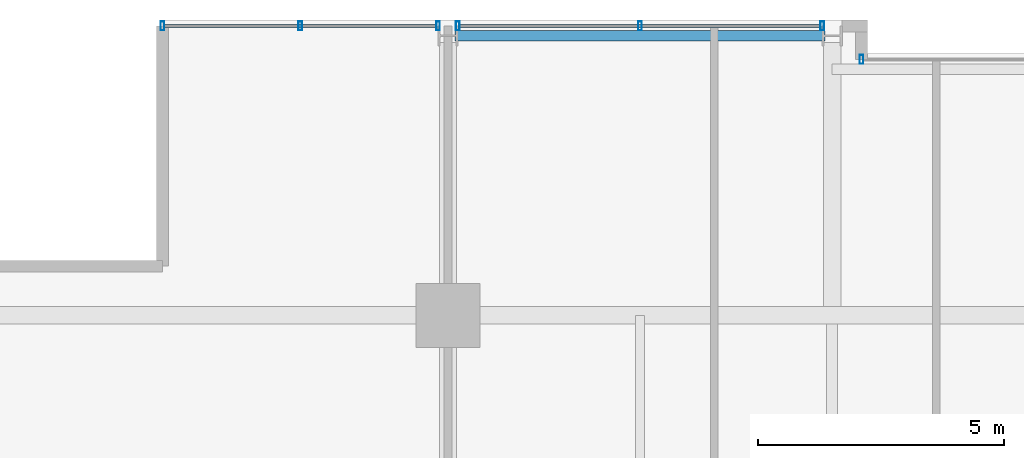
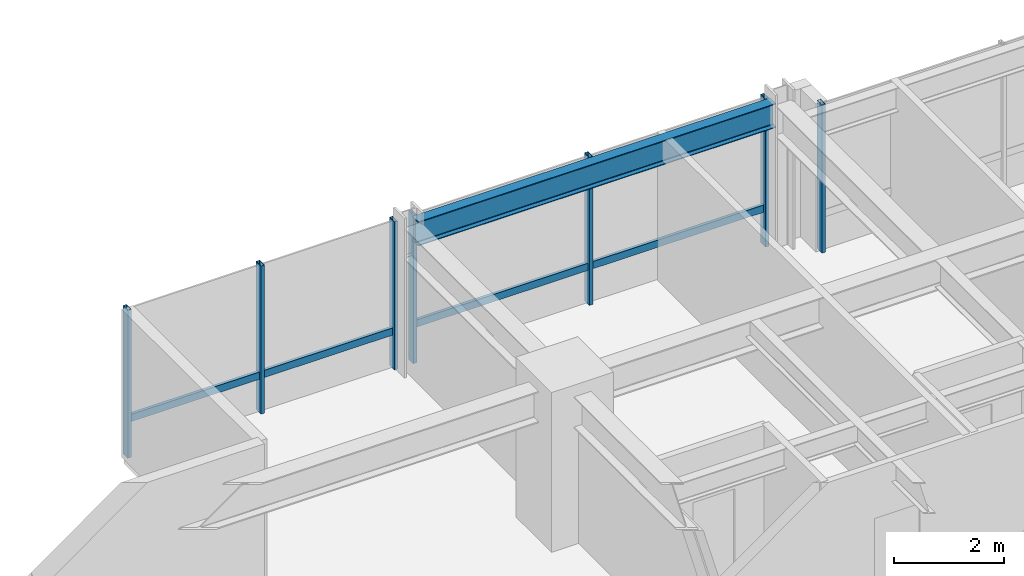
# One storey, part 20 of 33: 9 members, 1 beam, 3 elements without a shape of their own.
"""IFC4 building model written with IfcOpenShell, lengths in metres."""

from ifc_helpers import new_model, si_unit, direction, frame, origin, origin_2d, place, context, subcontext, project, spatial, hollow_rectangle, i_section, extrude, material, layer, layer_set, material_profile, profile_set, type_object, element, aggregate, save


model = new_model("IFC4")

# Units and contexts
model_context = context("Model", 3, precision=1e-05, world=origin(), true_north=direction((0.0, 1.0)))
body_context = subcontext(model_context, "Body", "Model", "MODEL_VIEW")
ifc_project = project(units=[si_unit("LENGTHUNIT", "METRE"), si_unit("AREAUNIT", "SQUARE_METRE"), si_unit("VOLUMEUNIT", "CUBIC_METRE"), si_unit("PLANEANGLEUNIT", "RADIAN"), si_unit("MASSUNIT", "GRAM", prefix="KILO")], contexts=[model_context])

# Site, building, storey
site_placement = place(None, origin())
site = spatial("IfcSite", under=ifc_project, at=site_placement, CompositionType="ELEMENT")
building_placement = place(site_placement, origin())
building = spatial("IfcBuilding", under=site, at=building_placement, Name="Drelvath Grand Hotel", CompositionType="ELEMENT")
storey_placement = place(building_placement, frame((0.0, 0.0, 153.949951171875)))
storey = spatial("IfcBuildingStorey", under=building, at=storey_placement, Name="L39", CompositionType="ELEMENT", Elevation=153.949951171875)

# Curtain wall, member
ifc_material_1 = material(Name="Brushed Pale-Silver Anodised Aluminium Frame", Category="aluminium")
ifc_layer = layer(ifc_material_1, 0.199951171875)
ifc_layer_set = layer_set([ifc_layer], Name="Brushed Pale-Silver Anodised Aluminium Frame")
curtain_wall_type = type_object("IfcCurtainWallType", Name="Stick Curtain Wall CW-04 Brushed Silver Upper-Mid", PredefinedType="NOTDEFINED", material=ifc_layer_set)
curtain_wall_1_placement = place(storey_placement, origin())
curtain_wall_1 = element("IfcCurtainWall", 1, at=curtain_wall_1_placement, inside=storey, type_object=curtain_wall_type, Name="L39 CW-04 Curtain Wall CW04-L39-NW1", PredefinedType="NOTDEFINED")
ifc_material_profile_1 = material_profile(ifc_material_1, hollow_rectangle(XDim=0.06494140625, YDim=0.159912109375, WallThickness=0.00390625, at=origin_2d()), Name="HSS160X65X4")
ifc_profile_set_1 = profile_set([ifc_material_profile_1], Name="Brushed Pale-Silver Anodised Aluminium Frame")
member_type_1 = type_object("IfcMemberType", Name="Curtain Wall Horizontal Transom CW-04 HSS160X65X4", PredefinedType="USERDEFINED", material=ifc_profile_set_1)
member_1_placement = place(storey_placement, frame((-21.9599609375, 49.080078125, 0.822509765625), z_axis=(1.0, 0.0, 0.0), x_axis=(0.0, 1.0, 0.0)))
member_1 = element("IfcMember", 2, at=member_1_placement, type_object=member_type_1, Name="CW04-L39-NW1 Sill Transom", ObjectType="TRANSOM", PredefinedType="USERDEFINED", context=body_context, shape_type="SweptSolid", body=[
    extrude(hollow_rectangle(XDim=0.06494140625, YDim=0.159912109375, WallThickness=0.00390625, at=origin_2d()), origin(), (0.0, 0.0, 1.0), 5.519775390625),
])

curtain_wall_2_placement = place(storey_placement, origin())
curtain_wall_2 = element("IfcCurtainWall", 3, at=curtain_wall_2_placement, inside=storey, type_object=curtain_wall_type, Name="L39 CW-04 Curtain Wall CW04-L39-NW2", PredefinedType="NOTDEFINED")
member_2_placement = place(storey_placement, frame((-15.9599609375, 49.080078125, 0.822509765625), z_axis=(1.0, 0.0, 0.0), x_axis=(0.0, 1.0, 0.0)))
member_2 = element("IfcMember", 4, at=member_2_placement, type_object=member_type_1, Name="CW04-L39-NW2 Sill Transom", ObjectType="TRANSOM", PredefinedType="USERDEFINED", context=body_context, shape_type="SweptSolid", body=[
    extrude(hollow_rectangle(XDim=0.06494140625, YDim=0.159912109375, WallThickness=0.00390625, at=origin_2d()), origin(), (0.0, 0.0, 1.0), 7.31982421875),
])

# Member
ifc_material_profile_2 = material_profile(ifc_material_1, hollow_rectangle(XDim=0.074951171875, YDim=0.179931640625, WallThickness=0.0048828125, at=origin_2d()), Name="HSS180X75X5")
ifc_profile_set_2 = profile_set([ifc_material_profile_2], Name="Brushed Pale-Silver Anodised Aluminium Frame")
member_type_2 = type_object("IfcMemberType", Name="Curtain Wall Vertical Mullion CW-04 HSS180X75X5", PredefinedType="MULLION", material=ifc_profile_set_2)
member_3_placement = place(storey_placement, frame((-22.0, 49.080078125, 0.0), z_axis=(0.0, 0.0, 1.0), x_axis=(1.0, 0.0, 0.0)))
member_3 = element("IfcMember", 5, at=member_3_placement, type_object=member_type_2, Name="CW04-L39-NW1 Mullion 1", PredefinedType="MULLION", context=body_context, shape_type="SweptSolid", body=[
    extrude(hollow_rectangle(XDim=0.074951171875, YDim=0.179931640625, WallThickness=0.0048828125, at=origin_2d()), origin(), (0.0, 0.0, 1.0), 3.2900390625),
])

member_4_placement = place(storey_placement, frame((-19.199951171875, 49.080078125, 0.0), z_axis=(0.0, 0.0, 1.0), x_axis=(1.0, 0.0, 0.0)))
member_4 = element("IfcMember", 6, at=member_4_placement, type_object=member_type_2, Name="CW04-L39-NW1 Mullion 2", PredefinedType="MULLION", context=body_context, shape_type="SweptSolid", body=[
    extrude(hollow_rectangle(XDim=0.074951171875, YDim=0.179931640625, WallThickness=0.0048828125, at=origin_2d()), origin(), (0.0, 0.0, 1.0), 3.2900390625),
])

member_5_placement = place(storey_placement, frame((-16.400146484375, 49.080078125, 0.0), z_axis=(0.0, 0.0, 1.0), x_axis=(1.0, 0.0, 0.0)))
member_5 = element("IfcMember", 7, at=member_5_placement, type_object=member_type_2, Name="CW04-L39-NW1 Mullion 3", PredefinedType="MULLION", context=body_context, shape_type="SweptSolid", body=[
    extrude(hollow_rectangle(XDim=0.074951171875, YDim=0.179931640625, WallThickness=0.0048828125, at=origin_2d()), origin(), (0.0, 0.0, 1.0), 3.2900390625),
])

aggregate(curtain_wall_1, [member_3, member_4, member_5, member_1])

member_6_placement = place(storey_placement, frame((-16.0, 49.080078125, 0.0), z_axis=(0.0, 0.0, 1.0), x_axis=(1.0, 0.0, 0.0)))
member_6 = element("IfcMember", 8, at=member_6_placement, type_object=member_type_2, Name="CW04-L39-NW2 Mullion 1", PredefinedType="MULLION", context=body_context, shape_type="SweptSolid", body=[
    extrude(hollow_rectangle(XDim=0.074951171875, YDim=0.179931640625, WallThickness=0.0048828125, at=origin_2d()), origin(), (0.0, 0.0, 1.0), 3.2900390625),
])

member_7_placement = place(storey_placement, frame((-12.300048828125, 49.080078125, 0.0), z_axis=(0.0, 0.0, 1.0), x_axis=(1.0, 0.0, 0.0)))
member_7 = element("IfcMember", 9, at=member_7_placement, type_object=member_type_2, Name="CW04-L39-NW2 Mullion 2", PredefinedType="MULLION", context=body_context, shape_type="SweptSolid", body=[
    extrude(hollow_rectangle(XDim=0.074951171875, YDim=0.179931640625, WallThickness=0.0048828125, at=origin_2d()), origin(), (0.0, 0.0, 1.0), 3.2900390625),
])

member_8_placement = place(storey_placement, frame((-8.60009765625, 49.080078125, 0.0), z_axis=(0.0, 0.0, 1.0), x_axis=(1.0, 0.0, 0.0)))
member_8 = element("IfcMember", 10, at=member_8_placement, type_object=member_type_2, Name="CW04-L39-NW2 Mullion 3", PredefinedType="MULLION", context=body_context, shape_type="SweptSolid", body=[
    extrude(hollow_rectangle(XDim=0.074951171875, YDim=0.179931640625, WallThickness=0.0048828125, at=origin_2d()), origin(), (0.0, 0.0, 1.0), 3.2900390625),
])

aggregate(curtain_wall_2, [member_6, member_7, member_8, member_2])

# Curtain wall, member
curtain_wall_3_placement = place(storey_placement, origin())
curtain_wall_3 = element("IfcCurtainWall", 11, at=curtain_wall_3_placement, inside=storey, type_object=curtain_wall_type, Name="L39 CW-04 Curtain Wall CW04-L39-NM1", PredefinedType="NOTDEFINED")
member_9_placement = place(storey_placement, frame((-7.800048828125, 48.39990234375, 0.0), z_axis=(0.0, 0.0, 1.0), x_axis=(1.0, 0.0, 0.0)))
member_9 = element("IfcMember", 12, at=member_9_placement, type_object=member_type_2, Name="CW04-L39-NM1 Mullion 1", PredefinedType="MULLION", context=body_context, shape_type="SweptSolid", body=[
    extrude(hollow_rectangle(XDim=0.074951171875, YDim=0.179931640625, WallThickness=0.0048828125, at=origin_2d()), origin(), (0.0, 0.0, 1.0), 3.2900390625),
])
aggregate(curtain_wall_3, [member_9])

# Beam
ifc_material_2 = material(Name="Steel ASTM A992 Gr 50", Category="steel")
ifc_material_profile_3 = material_profile(ifc_material_2, i_section(OverallWidth=0.210205078125, OverallDepth=0.53662109375, WebThickness=0.010986328125, FlangeThickness=0.017333984375, FilletRadius=0.01806640625, at=origin_2d()), Name="W21X68")
ifc_profile_set_3 = profile_set([ifc_material_profile_3], Name="Steel ASTM A992 Gr 50")
beam_type = type_object("IfcBeamType", Name="Perimeter Spandrel Beam W21X68", PredefinedType="SPANDREL", material=ifc_profile_set_3)
beam_placement = place(storey_placement, frame((-16.06005859375, 48.8798828125, 3.021728515625), z_axis=(1.0, 0.0, 0.0), x_axis=(0.0, 1.0, 0.0)))
element("IfcBeam", 13, at=beam_placement, inside=storey, type_object=beam_type, Name="L39 Spandrel North W", PredefinedType="SPANDREL", context=body_context, shape_type="SweptSolid", body=[
    extrude(i_section(OverallWidth=0.210205078125, OverallDepth=0.53662109375, WebThickness=0.010986328125, FlangeThickness=0.017333984375, FilletRadius=0.01806640625, at=origin_2d()), origin(), (0.0, 0.0, 1.0), 7.52001953125),
])

save(model, "model.ifc")
